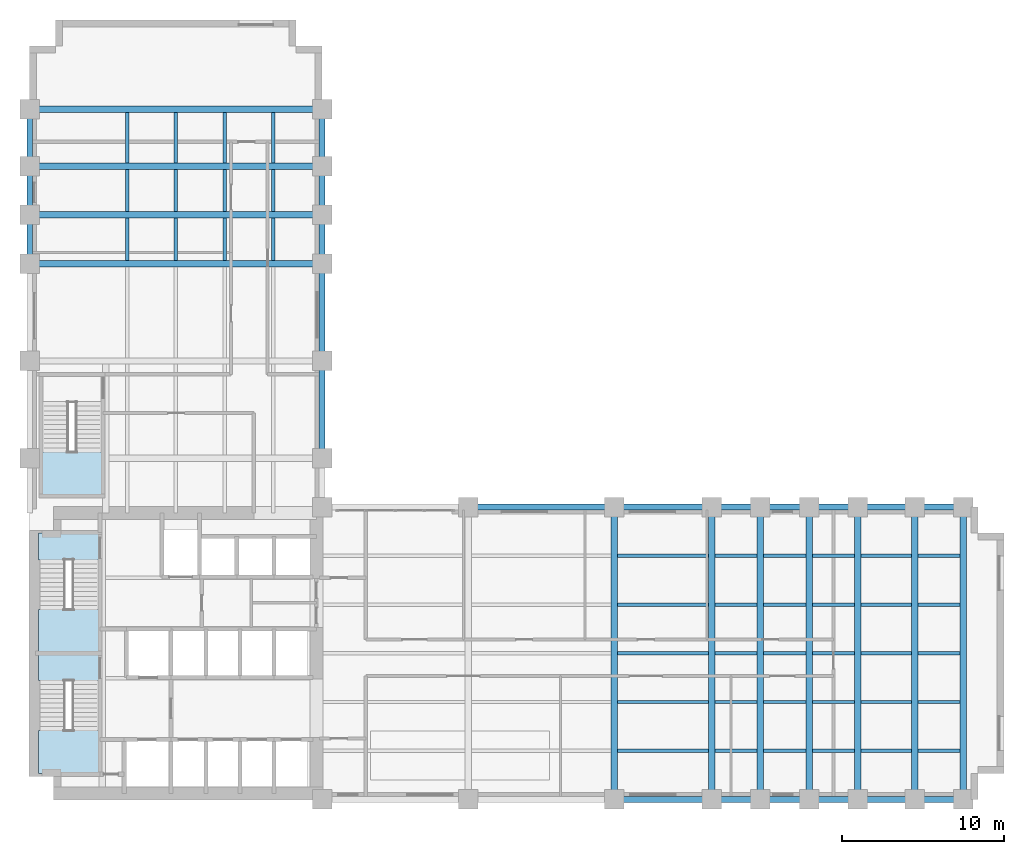
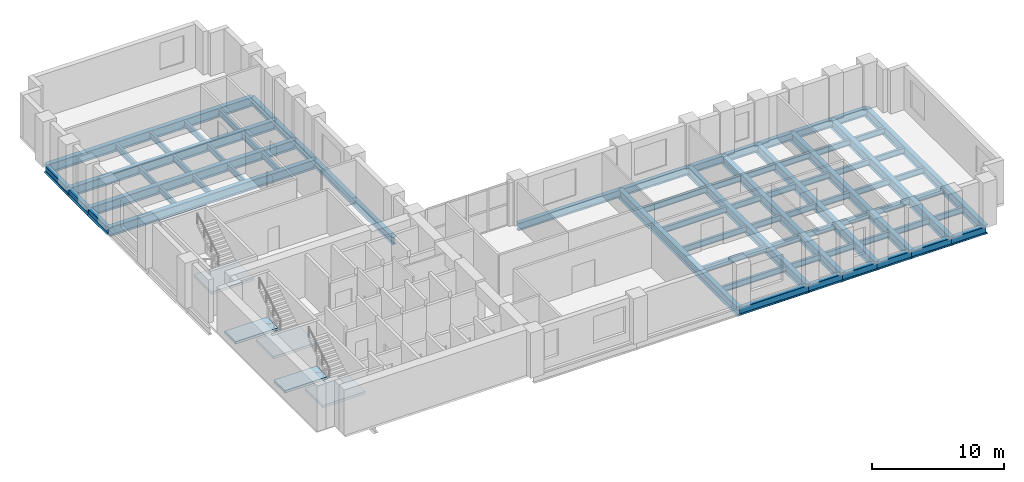
# One storey, part 3 of 9: 74 beams, 5 slabs, 3 elements without a shape of their own.
"""IFC4 building model written with IfcOpenShell, lengths in metres."""

from ifc_helpers import new_model, si_unit, direction, frame, origin, origin_2d, place, context, subcontext, project, spatial, polyline, i_section, outline, extrude, material, layer, layer_set, material_profile, profile_set, type_object, element, aggregate, save


model = new_model("IFC4")

# Units and contexts
model_context = context("Model", 3, precision=1e-05, world=origin(), true_north=direction((0.0, 1.0)))
body_context = subcontext(model_context, "Body", "Model", "MODEL_VIEW")
ifc_project = project(units=[si_unit("LENGTHUNIT", "METRE"), si_unit("AREAUNIT", "SQUARE_METRE"), si_unit("VOLUMEUNIT", "CUBIC_METRE"), si_unit("PLANEANGLEUNIT", "RADIAN"), si_unit("MASSUNIT", "GRAM", prefix="KILO")], contexts=[model_context])

# Site, building, storey
site_placement = place(None, origin())
site = spatial("IfcSite", under=ifc_project, at=site_placement, CompositionType="ELEMENT")
building_placement = place(site_placement, origin())
building = spatial("IfcBuilding", under=site, at=building_placement, Name="Mawjdan Bourse Tower", CompositionType="ELEMENT")
storey_placement = place(building_placement, frame((0.0, 0.0, 51.0)))
storey = spatial("IfcBuildingStorey", under=building, at=storey_placement, Name="L11", CompositionType="ELEMENT", Elevation=51.0)

# Beams
ifc_material_1 = material(Name="Structural Steel S355", Category="steel")
ifc_material_profile_1 = material_profile(ifc_material_1, i_section(OverallWidth=0.39892578125, OverallDepth=0.85595703125, WebThickness=0.018310546875, FlangeThickness=0.029296875, FilletRadius=0.0234375, at=origin_2d()), Name="W33X201")
ifc_profile_set_1 = profile_set([ifc_material_profile_1], Name="Structural Steel S355")
beam_type_1 = type_object("IfcBeamType", Name="GRD-W33X201", PredefinedType="BEAM", material=ifc_profile_set_1)
for number, where, z_axis, x_axis, name in (
    (1, (42.0, 3.0, -0.64794921875), (0.0, 1.0, 0.0), (-1.0, 0.0, 0.0), "L11 East Wing Clear-Span Girder 003"),
    (2, (48.0, 3.0, -0.64794921875), (0.0, 1.0, 0.0), (-1.0, 0.0, 0.0), "L11 East Wing Clear-Span Girder 004"),
    (3, (51.0, 3.0, -0.64794921875), (0.0, 1.0, 0.0), (-1.0, 0.0, 0.0), "L11 East Wing Clear-Span Girder 005"),
    (4, (54.0, 3.0, -0.64794921875), (0.0, 1.0, 0.0), (-1.0, 0.0, 0.0), "L11 East Wing Clear-Span Girder 006"),
    (5, (57.0, 3.0, -0.64794921875), (0.0, 1.0, 0.0), (-1.0, 0.0, 0.0), "L11 East Wing Clear-Span Girder 007"),
    (6, (60.5, 3.0, -0.64794921875), (0.0, 1.0, 0.0), (-1.0, 0.0, 0.0), "L11 East Wing Clear-Span Girder 008"),
    (7, (63.5, 3.0, -0.64794921875), (0.0, 1.0, 0.0), (-1.0, 0.0, 0.0), "L11 East Wing Clear-Span Girder 009"),
    (8, (6.0, 36.0, -0.64794921875), (1.0, 0.0, 0.0), (0.0, 1.0, 0.0), "L11 North Wing Clear-Span Girder 073"),
    (9, (6.0, 39.0, -0.64794921875), (1.0, 0.0, 0.0), (0.0, 1.0, 0.0), "L11 North Wing Clear-Span Girder 074"),
    (10, (6.0, 42.0, -0.64794921875), (1.0, 0.0, 0.0), (0.0, 1.0, 0.0), "L11 North Wing Clear-Span Girder 075"),
    (11, (6.0, 45.5, -0.64794921875), (1.0, 0.0, 0.0), (0.0, 1.0, 0.0), "L11 North Wing Clear-Span Girder 076"),
):
    element("IfcBeam", number, at=place(storey_placement, frame(where, z_axis=z_axis, x_axis=x_axis)), inside=storey, type_object=beam_type_1, Name=name, PredefinedType="BEAM", context=body_context, shape_type="SweptSolid", body=[
        extrude(i_section(OverallWidth=0.39892578125, OverallDepth=0.85595703125, WebThickness=0.018310546875, FlangeThickness=0.029296875, FilletRadius=0.0234375, at=origin_2d()), origin(), (0.0, 0.0, 1.0), 18.0),
    ])
ifc_material_profile_2 = material_profile(ifc_material_1, i_section(OverallWidth=0.2119140625, OverallDepth=0.5439453125, WebThickness=0.01318359375, FlangeThickness=0.021240234375, FilletRadius=0.01708984375, at=origin_2d()), Name="W21X83")
ifc_profile_set_2 = profile_set([ifc_material_profile_2], Name="Structural Steel S355")
beam_type_2 = type_object("IfcBeamType", Name="JST-W21X83", PredefinedType="JOIST", material=ifc_profile_set_2)
beam_1_placement = place(storey_placement, frame((42.197509765625, 6.0, -0.491943359375), z_axis=(1.0, 0.0, 0.0), x_axis=(0.0, 1.0, 0.0)))
element("IfcBeam", 12, at=beam_1_placement, inside=storey, type_object=beam_type_2, Name="L11 East Wing Composite Joist 028", PredefinedType="JOIST", context=body_context, shape_type="SweptSolid", body=[
    extrude(i_section(OverallWidth=0.2119140625, OverallDepth=0.5439453125, WebThickness=0.01318359375, FlangeThickness=0.021240234375, FilletRadius=0.01708984375, at=origin_2d()), origin(), (0.0, 0.0, 1.0), 5.60498046875),
])
for number, where, z_axis, x_axis, name in (
    (13, (48.197509765625, 6.0, -0.491943359375), (1.0, 0.0, 0.0), (0.0, 1.0, 0.0), "L11 East Wing Composite Joist 029"),
    (14, (51.197509765625, 6.0, -0.491943359375), (1.0, 0.0, 0.0), (0.0, 1.0, 0.0), "L11 East Wing Composite Joist 030"),
    (15, (54.197509765625, 6.0, -0.491943359375), (1.0, 0.0, 0.0), (0.0, 1.0, 0.0), "L11 East Wing Composite Joist 031"),
):
    element("IfcBeam", number, at=place(storey_placement, frame(where, z_axis=z_axis, x_axis=x_axis)), inside=storey, type_object=beam_type_2, Name=name, PredefinedType="JOIST", context=body_context, shape_type="SweptSolid", body=[
        extrude(i_section(OverallWidth=0.2119140625, OverallDepth=0.5439453125, WebThickness=0.01318359375, FlangeThickness=0.021240234375, FilletRadius=0.01708984375, at=origin_2d()), origin(), (0.0, 0.0, 1.0), 2.60498046875),
    ])
beam_2_placement = place(storey_placement, frame((57.197509765625, 6.0, -0.491943359375), z_axis=(1.0, 0.0, 0.0), x_axis=(0.0, 1.0, 0.0)))
element("IfcBeam", 16, at=beam_2_placement, inside=storey, type_object=beam_type_2, Name="L11 East Wing Composite Joist 032", PredefinedType="JOIST", context=body_context, shape_type="SweptSolid", body=[
    extrude(i_section(OverallWidth=0.2119140625, OverallDepth=0.5439453125, WebThickness=0.01318359375, FlangeThickness=0.021240234375, FilletRadius=0.01708984375, at=origin_2d()), origin(), (0.0, 0.0, 1.0), 3.10498046875),
])
beam_3_placement = place(storey_placement, frame((60.697509765625, 6.0, -0.491943359375), z_axis=(1.0, 0.0, 0.0), x_axis=(0.0, 1.0, 0.0)))
element("IfcBeam", 17, at=beam_3_placement, inside=storey, type_object=beam_type_2, Name="L11 East Wing Composite Joist 033", PredefinedType="JOIST", context=body_context, shape_type="SweptSolid", body=[
    extrude(i_section(OverallWidth=0.2119140625, OverallDepth=0.5439453125, WebThickness=0.01318359375, FlangeThickness=0.021240234375, FilletRadius=0.01708984375, at=origin_2d()), origin(), (0.0, 0.0, 1.0), 2.60498046875),
])
beam_4_placement = place(storey_placement, frame((42.197509765625, 9.0, -0.491943359375), z_axis=(1.0, 0.0, 0.0), x_axis=(0.0, 1.0, 0.0)))
element("IfcBeam", 18, at=beam_4_placement, inside=storey, type_object=beam_type_2, Name="L11 East Wing Composite Joist 036", PredefinedType="JOIST", context=body_context, shape_type="SweptSolid", body=[
    extrude(i_section(OverallWidth=0.2119140625, OverallDepth=0.5439453125, WebThickness=0.01318359375, FlangeThickness=0.021240234375, FilletRadius=0.01708984375, at=origin_2d()), origin(), (0.0, 0.0, 1.0), 5.60498046875),
])
for number, where, z_axis, x_axis, name in (
    (19, (48.197509765625, 9.0, -0.491943359375), (1.0, 0.0, 0.0), (0.0, 1.0, 0.0), "L11 East Wing Composite Joist 037"),
    (20, (51.197509765625, 9.0, -0.491943359375), (1.0, 0.0, 0.0), (0.0, 1.0, 0.0), "L11 East Wing Composite Joist 038"),
    (21, (54.197509765625, 9.0, -0.491943359375), (1.0, 0.0, 0.0), (0.0, 1.0, 0.0), "L11 East Wing Composite Joist 039"),
):
    element("IfcBeam", number, at=place(storey_placement, frame(where, z_axis=z_axis, x_axis=x_axis)), inside=storey, type_object=beam_type_2, Name=name, PredefinedType="JOIST", context=body_context, shape_type="SweptSolid", body=[
        extrude(i_section(OverallWidth=0.2119140625, OverallDepth=0.5439453125, WebThickness=0.01318359375, FlangeThickness=0.021240234375, FilletRadius=0.01708984375, at=origin_2d()), origin(), (0.0, 0.0, 1.0), 2.60498046875),
    ])
beam_5_placement = place(storey_placement, frame((57.197509765625, 9.0, -0.491943359375), z_axis=(1.0, 0.0, 0.0), x_axis=(0.0, 1.0, 0.0)))
element("IfcBeam", 22, at=beam_5_placement, inside=storey, type_object=beam_type_2, Name="L11 East Wing Composite Joist 040", PredefinedType="JOIST", context=body_context, shape_type="SweptSolid", body=[
    extrude(i_section(OverallWidth=0.2119140625, OverallDepth=0.5439453125, WebThickness=0.01318359375, FlangeThickness=0.021240234375, FilletRadius=0.01708984375, at=origin_2d()), origin(), (0.0, 0.0, 1.0), 3.10498046875),
])
beam_6_placement = place(storey_placement, frame((60.697509765625, 9.0, -0.491943359375), z_axis=(1.0, 0.0, 0.0), x_axis=(0.0, 1.0, 0.0)))
element("IfcBeam", 23, at=beam_6_placement, inside=storey, type_object=beam_type_2, Name="L11 East Wing Composite Joist 041", PredefinedType="JOIST", context=body_context, shape_type="SweptSolid", body=[
    extrude(i_section(OverallWidth=0.2119140625, OverallDepth=0.5439453125, WebThickness=0.01318359375, FlangeThickness=0.021240234375, FilletRadius=0.01708984375, at=origin_2d()), origin(), (0.0, 0.0, 1.0), 2.60498046875),
])
beam_7_placement = place(storey_placement, frame((42.197509765625, 12.0, -0.491943359375), z_axis=(1.0, 0.0, 0.0), x_axis=(0.0, 1.0, 0.0)))
element("IfcBeam", 24, at=beam_7_placement, inside=storey, type_object=beam_type_2, Name="L11 East Wing Composite Joist 044", PredefinedType="JOIST", context=body_context, shape_type="SweptSolid", body=[
    extrude(i_section(OverallWidth=0.2119140625, OverallDepth=0.5439453125, WebThickness=0.01318359375, FlangeThickness=0.021240234375, FilletRadius=0.01708984375, at=origin_2d()), origin(), (0.0, 0.0, 1.0), 5.60498046875),
])
for number, where, z_axis, x_axis, name in (
    (25, (48.197509765625, 12.0, -0.491943359375), (1.0, 0.0, 0.0), (0.0, 1.0, 0.0), "L11 East Wing Composite Joist 045"),
    (26, (51.197509765625, 12.0, -0.491943359375), (1.0, 0.0, 0.0), (0.0, 1.0, 0.0), "L11 East Wing Composite Joist 046"),
    (27, (54.197509765625, 12.0, -0.491943359375), (1.0, 0.0, 0.0), (0.0, 1.0, 0.0), "L11 East Wing Composite Joist 047"),
):
    element("IfcBeam", number, at=place(storey_placement, frame(where, z_axis=z_axis, x_axis=x_axis)), inside=storey, type_object=beam_type_2, Name=name, PredefinedType="JOIST", context=body_context, shape_type="SweptSolid", body=[
        extrude(i_section(OverallWidth=0.2119140625, OverallDepth=0.5439453125, WebThickness=0.01318359375, FlangeThickness=0.021240234375, FilletRadius=0.01708984375, at=origin_2d()), origin(), (0.0, 0.0, 1.0), 2.60498046875),
    ])
beam_8_placement = place(storey_placement, frame((57.197509765625, 12.0, -0.491943359375), z_axis=(1.0, 0.0, 0.0), x_axis=(0.0, 1.0, 0.0)))
element("IfcBeam", 28, at=beam_8_placement, inside=storey, type_object=beam_type_2, Name="L11 East Wing Composite Joist 048", PredefinedType="JOIST", context=body_context, shape_type="SweptSolid", body=[
    extrude(i_section(OverallWidth=0.2119140625, OverallDepth=0.5439453125, WebThickness=0.01318359375, FlangeThickness=0.021240234375, FilletRadius=0.01708984375, at=origin_2d()), origin(), (0.0, 0.0, 1.0), 3.10498046875),
])
beam_9_placement = place(storey_placement, frame((60.697509765625, 12.0, -0.491943359375), z_axis=(1.0, 0.0, 0.0), x_axis=(0.0, 1.0, 0.0)))
element("IfcBeam", 29, at=beam_9_placement, inside=storey, type_object=beam_type_2, Name="L11 East Wing Composite Joist 049", PredefinedType="JOIST", context=body_context, shape_type="SweptSolid", body=[
    extrude(i_section(OverallWidth=0.2119140625, OverallDepth=0.5439453125, WebThickness=0.01318359375, FlangeThickness=0.021240234375, FilletRadius=0.01708984375, at=origin_2d()), origin(), (0.0, 0.0, 1.0), 2.60498046875),
])
beam_10_placement = place(storey_placement, frame((42.197509765625, 15.0, -0.491943359375), z_axis=(1.0, 0.0, 0.0), x_axis=(0.0, 1.0, 0.0)))
element("IfcBeam", 30, at=beam_10_placement, inside=storey, type_object=beam_type_2, Name="L11 East Wing Composite Joist 052", PredefinedType="JOIST", context=body_context, shape_type="SweptSolid", body=[
    extrude(i_section(OverallWidth=0.2119140625, OverallDepth=0.5439453125, WebThickness=0.01318359375, FlangeThickness=0.021240234375, FilletRadius=0.01708984375, at=origin_2d()), origin(), (0.0, 0.0, 1.0), 5.60498046875),
])
for number, where, z_axis, x_axis, name in (
    (31, (48.197509765625, 15.0, -0.491943359375), (1.0, 0.0, 0.0), (0.0, 1.0, 0.0), "L11 East Wing Composite Joist 053"),
    (32, (51.197509765625, 15.0, -0.491943359375), (1.0, 0.0, 0.0), (0.0, 1.0, 0.0), "L11 East Wing Composite Joist 054"),
    (33, (54.197509765625, 15.0, -0.491943359375), (1.0, 0.0, 0.0), (0.0, 1.0, 0.0), "L11 East Wing Composite Joist 055"),
):
    element("IfcBeam", number, at=place(storey_placement, frame(where, z_axis=z_axis, x_axis=x_axis)), inside=storey, type_object=beam_type_2, Name=name, PredefinedType="JOIST", context=body_context, shape_type="SweptSolid", body=[
        extrude(i_section(OverallWidth=0.2119140625, OverallDepth=0.5439453125, WebThickness=0.01318359375, FlangeThickness=0.021240234375, FilletRadius=0.01708984375, at=origin_2d()), origin(), (0.0, 0.0, 1.0), 2.60498046875),
    ])
beam_11_placement = place(storey_placement, frame((57.197509765625, 15.0, -0.491943359375), z_axis=(1.0, 0.0, 0.0), x_axis=(0.0, 1.0, 0.0)))
element("IfcBeam", 34, at=beam_11_placement, inside=storey, type_object=beam_type_2, Name="L11 East Wing Composite Joist 056", PredefinedType="JOIST", context=body_context, shape_type="SweptSolid", body=[
    extrude(i_section(OverallWidth=0.2119140625, OverallDepth=0.5439453125, WebThickness=0.01318359375, FlangeThickness=0.021240234375, FilletRadius=0.01708984375, at=origin_2d()), origin(), (0.0, 0.0, 1.0), 3.10498046875),
])
beam_12_placement = place(storey_placement, frame((60.697509765625, 15.0, -0.491943359375), z_axis=(1.0, 0.0, 0.0), x_axis=(0.0, 1.0, 0.0)))
element("IfcBeam", 35, at=beam_12_placement, inside=storey, type_object=beam_type_2, Name="L11 East Wing Composite Joist 057", PredefinedType="JOIST", context=body_context, shape_type="SweptSolid", body=[
    extrude(i_section(OverallWidth=0.2119140625, OverallDepth=0.5439453125, WebThickness=0.01318359375, FlangeThickness=0.021240234375, FilletRadius=0.01708984375, at=origin_2d()), origin(), (0.0, 0.0, 1.0), 2.60498046875),
])
beam_13_placement = place(storey_placement, frame((42.197509765625, 18.0, -0.491943359375), z_axis=(1.0, 0.0, 0.0), x_axis=(0.0, 1.0, 0.0)))
element("IfcBeam", 36, at=beam_13_placement, inside=storey, type_object=beam_type_2, Name="L11 East Wing Composite Joist 060", PredefinedType="JOIST", context=body_context, shape_type="SweptSolid", body=[
    extrude(i_section(OverallWidth=0.2119140625, OverallDepth=0.5439453125, WebThickness=0.01318359375, FlangeThickness=0.021240234375, FilletRadius=0.01708984375, at=origin_2d()), origin(), (0.0, 0.0, 1.0), 5.60498046875),
])
for number, where, z_axis, x_axis, name in (
    (37, (48.197509765625, 18.0, -0.491943359375), (1.0, 0.0, 0.0), (0.0, 1.0, 0.0), "L11 East Wing Composite Joist 061"),
    (38, (51.197509765625, 18.0, -0.491943359375), (1.0, 0.0, 0.0), (0.0, 1.0, 0.0), "L11 East Wing Composite Joist 062"),
    (39, (54.197509765625, 18.0, -0.491943359375), (1.0, 0.0, 0.0), (0.0, 1.0, 0.0), "L11 East Wing Composite Joist 063"),
):
    element("IfcBeam", number, at=place(storey_placement, frame(where, z_axis=z_axis, x_axis=x_axis)), inside=storey, type_object=beam_type_2, Name=name, PredefinedType="JOIST", context=body_context, shape_type="SweptSolid", body=[
        extrude(i_section(OverallWidth=0.2119140625, OverallDepth=0.5439453125, WebThickness=0.01318359375, FlangeThickness=0.021240234375, FilletRadius=0.01708984375, at=origin_2d()), origin(), (0.0, 0.0, 1.0), 2.60498046875),
    ])
beam_14_placement = place(storey_placement, frame((57.197509765625, 18.0, -0.491943359375), z_axis=(1.0, 0.0, 0.0), x_axis=(0.0, 1.0, 0.0)))
element("IfcBeam", 40, at=beam_14_placement, inside=storey, type_object=beam_type_2, Name="L11 East Wing Composite Joist 064", PredefinedType="JOIST", context=body_context, shape_type="SweptSolid", body=[
    extrude(i_section(OverallWidth=0.2119140625, OverallDepth=0.5439453125, WebThickness=0.01318359375, FlangeThickness=0.021240234375, FilletRadius=0.01708984375, at=origin_2d()), origin(), (0.0, 0.0, 1.0), 3.10498046875),
])
for number, where, z_axis, x_axis, name in (
    (41, (60.697509765625, 18.0, -0.491943359375), (1.0, 0.0, 0.0), (0.0, 1.0, 0.0), "L11 East Wing Composite Joist 065"),
    (42, (12.0, 36.197509765625, -0.491943359375), (0.0, 1.0, 0.0), (-1.0, 0.0, 0.0), "L11 North Wing Composite Joist 092"),
    (43, (12.0, 39.197509765625, -0.491943359375), (0.0, 1.0, 0.0), (-1.0, 0.0, 0.0), "L11 North Wing Composite Joist 093"),
):
    element("IfcBeam", number, at=place(storey_placement, frame(where, z_axis=z_axis, x_axis=x_axis)), inside=storey, type_object=beam_type_2, Name=name, PredefinedType="JOIST", context=body_context, shape_type="SweptSolid", body=[
        extrude(i_section(OverallWidth=0.2119140625, OverallDepth=0.5439453125, WebThickness=0.01318359375, FlangeThickness=0.021240234375, FilletRadius=0.01708984375, at=origin_2d()), origin(), (0.0, 0.0, 1.0), 2.60498046875),
    ])
beam_15_placement = place(storey_placement, frame((12.0, 42.197509765625, -0.491943359375), z_axis=(0.0, 1.0, 0.0), x_axis=(-1.0, 0.0, 0.0)))
element("IfcBeam", 44, at=beam_15_placement, inside=storey, type_object=beam_type_2, Name="L11 North Wing Composite Joist 094", PredefinedType="JOIST", context=body_context, shape_type="SweptSolid", body=[
    extrude(i_section(OverallWidth=0.2119140625, OverallDepth=0.5439453125, WebThickness=0.01318359375, FlangeThickness=0.021240234375, FilletRadius=0.01708984375, at=origin_2d()), origin(), (0.0, 0.0, 1.0), 3.10498046875),
])
for number, where, z_axis, x_axis, name in (
    (45, (15.0, 36.197509765625, -0.491943359375), (0.0, 1.0, 0.0), (-1.0, 0.0, 0.0), "L11 North Wing Composite Joist 098"),
    (46, (15.0, 39.197509765625, -0.491943359375), (0.0, 1.0, 0.0), (-1.0, 0.0, 0.0), "L11 North Wing Composite Joist 099"),
):
    element("IfcBeam", number, at=place(storey_placement, frame(where, z_axis=z_axis, x_axis=x_axis)), inside=storey, type_object=beam_type_2, Name=name, PredefinedType="JOIST", context=body_context, shape_type="SweptSolid", body=[
        extrude(i_section(OverallWidth=0.2119140625, OverallDepth=0.5439453125, WebThickness=0.01318359375, FlangeThickness=0.021240234375, FilletRadius=0.01708984375, at=origin_2d()), origin(), (0.0, 0.0, 1.0), 2.60498046875),
    ])
beam_16_placement = place(storey_placement, frame((15.0, 42.197509765625, -0.491943359375), z_axis=(0.0, 1.0, 0.0), x_axis=(-1.0, 0.0, 0.0)))
element("IfcBeam", 47, at=beam_16_placement, inside=storey, type_object=beam_type_2, Name="L11 North Wing Composite Joist 100", PredefinedType="JOIST", context=body_context, shape_type="SweptSolid", body=[
    extrude(i_section(OverallWidth=0.2119140625, OverallDepth=0.5439453125, WebThickness=0.01318359375, FlangeThickness=0.021240234375, FilletRadius=0.01708984375, at=origin_2d()), origin(), (0.0, 0.0, 1.0), 3.10498046875),
])
for number, where, z_axis, x_axis, name in (
    (48, (18.0, 36.197509765625, -0.491943359375), (0.0, 1.0, 0.0), (-1.0, 0.0, 0.0), "L11 North Wing Composite Joist 104"),
    (49, (18.0, 39.197509765625, -0.491943359375), (0.0, 1.0, 0.0), (-1.0, 0.0, 0.0), "L11 North Wing Composite Joist 105"),
):
    element("IfcBeam", number, at=place(storey_placement, frame(where, z_axis=z_axis, x_axis=x_axis)), inside=storey, type_object=beam_type_2, Name=name, PredefinedType="JOIST", context=body_context, shape_type="SweptSolid", body=[
        extrude(i_section(OverallWidth=0.2119140625, OverallDepth=0.5439453125, WebThickness=0.01318359375, FlangeThickness=0.021240234375, FilletRadius=0.01708984375, at=origin_2d()), origin(), (0.0, 0.0, 1.0), 2.60498046875),
    ])
beam_17_placement = place(storey_placement, frame((18.0, 42.197509765625, -0.491943359375), z_axis=(0.0, 1.0, 0.0), x_axis=(-1.0, 0.0, 0.0)))
element("IfcBeam", 50, at=beam_17_placement, inside=storey, type_object=beam_type_2, Name="L11 North Wing Composite Joist 106", PredefinedType="JOIST", context=body_context, shape_type="SweptSolid", body=[
    extrude(i_section(OverallWidth=0.2119140625, OverallDepth=0.5439453125, WebThickness=0.01318359375, FlangeThickness=0.021240234375, FilletRadius=0.01708984375, at=origin_2d()), origin(), (0.0, 0.0, 1.0), 3.10498046875),
])
for number, where, z_axis, x_axis, name in (
    (51, (21.0, 36.197509765625, -0.491943359375), (0.0, 1.0, 0.0), (-1.0, 0.0, 0.0), "L11 North Wing Composite Joist 110"),
    (52, (21.0, 39.197509765625, -0.491943359375), (0.0, 1.0, 0.0), (-1.0, 0.0, 0.0), "L11 North Wing Composite Joist 111"),
):
    element("IfcBeam", number, at=place(storey_placement, frame(where, z_axis=z_axis, x_axis=x_axis)), inside=storey, type_object=beam_type_2, Name=name, PredefinedType="JOIST", context=body_context, shape_type="SweptSolid", body=[
        extrude(i_section(OverallWidth=0.2119140625, OverallDepth=0.5439453125, WebThickness=0.01318359375, FlangeThickness=0.021240234375, FilletRadius=0.01708984375, at=origin_2d()), origin(), (0.0, 0.0, 1.0), 2.60498046875),
    ])
beam_18_placement = place(storey_placement, frame((21.0, 42.197509765625, -0.491943359375), z_axis=(0.0, 1.0, 0.0), x_axis=(-1.0, 0.0, 0.0)))
element("IfcBeam", 53, at=beam_18_placement, inside=storey, type_object=beam_type_2, Name="L11 North Wing Composite Joist 112", PredefinedType="JOIST", context=body_context, shape_type="SweptSolid", body=[
    extrude(i_section(OverallWidth=0.2119140625, OverallDepth=0.5439453125, WebThickness=0.01318359375, FlangeThickness=0.021240234375, FilletRadius=0.01708984375, at=origin_2d()), origin(), (0.0, 0.0, 1.0), 3.10498046875),
])
ifc_material_profile_3 = material_profile(ifc_material_1, i_section(OverallWidth=0.35498046875, OverallDepth=0.696044921875, WebThickness=0.015380859375, FlangeThickness=0.02490234375, FilletRadius=0.019775390625, at=origin_2d()), Name="W27X146")
ifc_profile_set_3 = profile_set([ifc_material_profile_3], Name="Structural Steel S355")
beam_type_3 = type_object("IfcBeamType", Name="SPN-W27X146", PredefinedType="SPANDREL", material=ifc_profile_set_3)
beam_19_placement = place(storey_placement, frame((42.0, 3.0, -0.568115234375), z_axis=(1.0, 0.0, 0.0), x_axis=(0.0, 1.0, 0.0)))
element("IfcBeam", 54, at=beam_19_placement, inside=storey, type_object=beam_type_3, Name="L11 Perimeter Masonry-Shelf Spandrel 012", PredefinedType="SPANDREL", context=body_context, shape_type="SweptSolid", body=[
    extrude(i_section(OverallWidth=0.35498046875, OverallDepth=0.696044921875, WebThickness=0.015380859375, FlangeThickness=0.02490234375, FilletRadius=0.019775390625, at=origin_2d()), origin(), (0.0, 0.0, 1.0), 6.0),
])
for number, where, z_axis, x_axis, name in (
    (55, (48.0, 3.0, -0.568115234375), (1.0, 0.0, 0.0), (0.0, 1.0, 0.0), "L11 Perimeter Masonry-Shelf Spandrel 013"),
    (56, (51.0, 3.0, -0.568115234375), (1.0, 0.0, 0.0), (0.0, 1.0, 0.0), "L11 Perimeter Masonry-Shelf Spandrel 014"),
    (57, (54.0, 3.0, -0.568115234375), (1.0, 0.0, 0.0), (0.0, 1.0, 0.0), "L11 Perimeter Masonry-Shelf Spandrel 015"),
):
    element("IfcBeam", number, at=place(storey_placement, frame(where, z_axis=z_axis, x_axis=x_axis)), inside=storey, type_object=beam_type_3, Name=name, PredefinedType="SPANDREL", context=body_context, shape_type="SweptSolid", body=[
        extrude(i_section(OverallWidth=0.35498046875, OverallDepth=0.696044921875, WebThickness=0.015380859375, FlangeThickness=0.02490234375, FilletRadius=0.019775390625, at=origin_2d()), origin(), (0.0, 0.0, 1.0), 3.0),
    ])
beam_20_placement = place(storey_placement, frame((57.0, 3.0, -0.568115234375), z_axis=(1.0, 0.0, 0.0), x_axis=(0.0, 1.0, 0.0)))
element("IfcBeam", 58, at=beam_20_placement, inside=storey, type_object=beam_type_3, Name="L11 Perimeter Masonry-Shelf Spandrel 016", PredefinedType="SPANDREL", context=body_context, shape_type="SweptSolid", body=[
    extrude(i_section(OverallWidth=0.35498046875, OverallDepth=0.696044921875, WebThickness=0.015380859375, FlangeThickness=0.02490234375, FilletRadius=0.019775390625, at=origin_2d()), origin(), (0.0, 0.0, 1.0), 3.5),
])
beam_21_placement = place(storey_placement, frame((60.5, 3.0, -0.568115234375), z_axis=(1.0, 0.0, 0.0), x_axis=(0.0, 1.0, 0.0)))
element("IfcBeam", 59, at=beam_21_placement, inside=storey, type_object=beam_type_3, Name="L11 Perimeter Masonry-Shelf Spandrel 017", PredefinedType="SPANDREL", context=body_context, shape_type="SweptSolid", body=[
    extrude(i_section(OverallWidth=0.35498046875, OverallDepth=0.696044921875, WebThickness=0.015380859375, FlangeThickness=0.02490234375, FilletRadius=0.019775390625, at=origin_2d()), origin(), (0.0, 0.0, 1.0), 3.0),
])
beam_22_placement = place(storey_placement, frame((33.0, 21.0, -0.568115234375), z_axis=(1.0, 0.0, 0.0), x_axis=(0.0, 1.0, 0.0)))
element("IfcBeam", 60, at=beam_22_placement, inside=storey, type_object=beam_type_3, Name="L11 Perimeter Masonry-Shelf Spandrel 019", PredefinedType="SPANDREL", context=body_context, shape_type="SweptSolid", body=[
    extrude(i_section(OverallWidth=0.35498046875, OverallDepth=0.696044921875, WebThickness=0.015380859375, FlangeThickness=0.02490234375, FilletRadius=0.019775390625, at=origin_2d()), origin(), (0.0, 0.0, 1.0), 9.0),
])
beam_23_placement = place(storey_placement, frame((42.0, 21.0, -0.568115234375), z_axis=(1.0, 0.0, 0.0), x_axis=(0.0, 1.0, 0.0)))
element("IfcBeam", 61, at=beam_23_placement, inside=storey, type_object=beam_type_3, Name="L11 Perimeter Masonry-Shelf Spandrel 020", PredefinedType="SPANDREL", context=body_context, shape_type="SweptSolid", body=[
    extrude(i_section(OverallWidth=0.35498046875, OverallDepth=0.696044921875, WebThickness=0.015380859375, FlangeThickness=0.02490234375, FilletRadius=0.019775390625, at=origin_2d()), origin(), (0.0, 0.0, 1.0), 6.0),
])
for number, where, z_axis, x_axis, name in (
    (62, (48.0, 21.0, -0.568115234375), (1.0, 0.0, 0.0), (0.0, 1.0, 0.0), "L11 Perimeter Masonry-Shelf Spandrel 021"),
    (63, (51.0, 21.0, -0.568115234375), (1.0, 0.0, 0.0), (0.0, 1.0, 0.0), "L11 Perimeter Masonry-Shelf Spandrel 022"),
    (64, (54.0, 21.0, -0.568115234375), (1.0, 0.0, 0.0), (0.0, 1.0, 0.0), "L11 Perimeter Masonry-Shelf Spandrel 023"),
):
    element("IfcBeam", number, at=place(storey_placement, frame(where, z_axis=z_axis, x_axis=x_axis)), inside=storey, type_object=beam_type_3, Name=name, PredefinedType="SPANDREL", context=body_context, shape_type="SweptSolid", body=[
        extrude(i_section(OverallWidth=0.35498046875, OverallDepth=0.696044921875, WebThickness=0.015380859375, FlangeThickness=0.02490234375, FilletRadius=0.019775390625, at=origin_2d()), origin(), (0.0, 0.0, 1.0), 3.0),
    ])
beam_24_placement = place(storey_placement, frame((57.0, 21.0, -0.568115234375), z_axis=(1.0, 0.0, 0.0), x_axis=(0.0, 1.0, 0.0)))
element("IfcBeam", 65, at=beam_24_placement, inside=storey, type_object=beam_type_3, Name="L11 Perimeter Masonry-Shelf Spandrel 024", PredefinedType="SPANDREL", context=body_context, shape_type="SweptSolid", body=[
    extrude(i_section(OverallWidth=0.35498046875, OverallDepth=0.696044921875, WebThickness=0.015380859375, FlangeThickness=0.02490234375, FilletRadius=0.019775390625, at=origin_2d()), origin(), (0.0, 0.0, 1.0), 3.5),
])
for number, where, z_axis, x_axis, name in (
    (66, (60.5, 21.0, -0.568115234375), (1.0, 0.0, 0.0), (0.0, 1.0, 0.0), "L11 Perimeter Masonry-Shelf Spandrel 025"),
    (67, (6.0, 36.0, -0.568115234375), (0.0, 1.0, 0.0), (-1.0, 0.0, 0.0), "L11 North Wing Spandrel 080"),
    (68, (6.0, 39.0, -0.568115234375), (0.0, 1.0, 0.0), (-1.0, 0.0, 0.0), "L11 North Wing Spandrel 081"),
):
    element("IfcBeam", number, at=place(storey_placement, frame(where, z_axis=z_axis, x_axis=x_axis)), inside=storey, type_object=beam_type_3, Name=name, PredefinedType="SPANDREL", context=body_context, shape_type="SweptSolid", body=[
        extrude(i_section(OverallWidth=0.35498046875, OverallDepth=0.696044921875, WebThickness=0.015380859375, FlangeThickness=0.02490234375, FilletRadius=0.019775390625, at=origin_2d()), origin(), (0.0, 0.0, 1.0), 3.0),
    ])
beam_25_placement = place(storey_placement, frame((6.0, 42.0, -0.568115234375), z_axis=(0.0, 1.0, 0.0), x_axis=(-1.0, 0.0, 0.0)))
element("IfcBeam", 69, at=beam_25_placement, inside=storey, type_object=beam_type_3, Name="L11 North Wing Spandrel 082", PredefinedType="SPANDREL", context=body_context, shape_type="SweptSolid", body=[
    extrude(i_section(OverallWidth=0.35498046875, OverallDepth=0.696044921875, WebThickness=0.015380859375, FlangeThickness=0.02490234375, FilletRadius=0.019775390625, at=origin_2d()), origin(), (0.0, 0.0, 1.0), 3.5),
])
for number, where, z_axis, x_axis, name in (
    (70, (24.0, 24.0, -0.568115234375), (0.0, 1.0, 0.0), (-1.0, 0.0, 0.0), "L11 North Wing Spandrel 084"),
    (71, (24.0, 30.0, -0.568115234375), (0.0, 1.0, 0.0), (-1.0, 0.0, 0.0), "L11 North Wing Spandrel 085"),
):
    element("IfcBeam", number, at=place(storey_placement, frame(where, z_axis=z_axis, x_axis=x_axis)), inside=storey, type_object=beam_type_3, Name=name, PredefinedType="SPANDREL", context=body_context, shape_type="SweptSolid", body=[
        extrude(i_section(OverallWidth=0.35498046875, OverallDepth=0.696044921875, WebThickness=0.015380859375, FlangeThickness=0.02490234375, FilletRadius=0.019775390625, at=origin_2d()), origin(), (0.0, 0.0, 1.0), 6.0),
    ])
for number, where, z_axis, x_axis, name in (
    (72, (24.0, 36.0, -0.568115234375), (0.0, 1.0, 0.0), (-1.0, 0.0, 0.0), "L11 North Wing Spandrel 086"),
    (73, (24.0, 39.0, -0.568115234375), (0.0, 1.0, 0.0), (-1.0, 0.0, 0.0), "L11 North Wing Spandrel 087"),
):
    element("IfcBeam", number, at=place(storey_placement, frame(where, z_axis=z_axis, x_axis=x_axis)), inside=storey, type_object=beam_type_3, Name=name, PredefinedType="SPANDREL", context=body_context, shape_type="SweptSolid", body=[
        extrude(i_section(OverallWidth=0.35498046875, OverallDepth=0.696044921875, WebThickness=0.015380859375, FlangeThickness=0.02490234375, FilletRadius=0.019775390625, at=origin_2d()), origin(), (0.0, 0.0, 1.0), 3.0),
    ])
beam_26_placement = place(storey_placement, frame((24.0, 42.0, -0.568115234375), z_axis=(0.0, 1.0, 0.0), x_axis=(-1.0, 0.0, 0.0)))
element("IfcBeam", 74, at=beam_26_placement, inside=storey, type_object=beam_type_3, Name="L11 North Wing Spandrel 088", PredefinedType="SPANDREL", context=body_context, shape_type="SweptSolid", body=[
    extrude(i_section(OverallWidth=0.35498046875, OverallDepth=0.696044921875, WebThickness=0.015380859375, FlangeThickness=0.02490234375, FilletRadius=0.019775390625, at=origin_2d()), origin(), (0.0, 0.0, 1.0), 3.5),
])

# Stair, slabs
ifc_material_2 = material(Name="Concrete C50/60", Category="concrete")
stair_type = type_object("IfcStairType", Name="STR-CORE-1500", PredefinedType="HALF_TURN_STAIR", material=ifc_material_2)
stair_1_placement = place(storey_placement, origin())
stair_1 = element("IfcStair", 75, at=stair_1_placement, inside=storey, type_object=stair_type, Name="L11 Exit Stair 1 (Core South-West)", PredefinedType="HALF_TURN_STAIR")
ifc_layer = layer(ifc_material_2, 0.22998046875)
ifc_layer_set = layer_set([ifc_layer], Name="Concrete C50/60")
slab_type = type_object("IfcSlabType", Name="SL-LND-230", PredefinedType="LANDING", material=ifc_layer_set)
slab_1_placement = place(storey_placement, frame((0.0, 0.0, -0.22998046875)))
slab_1 = element("IfcSlab", 76, at=slab_1_placement, type_object=slab_type, Name="ST1-L11 landing 1", PredefinedType="LANDING", context=body_context, shape_type="SweptSolid", body=[
    extrude(outline(polyline([(6.5400390625, 10.31005859375), (10.260009765625, 10.31005859375), (10.260009765625, 11.969970703125), (6.5400390625, 11.969970703125), (6.5400390625, 10.31005859375)])), origin(), (0.0, 0.0, 1.0), 0.22998046875),
])
slab_2_placement = place(storey_placement, frame((0.0, 0.0, 1.8701171875)))
slab_2 = element("IfcSlab", 77, at=slab_2_placement, type_object=slab_type, Name="ST1-L11 landing 2", PredefinedType="LANDING", context=body_context, shape_type="SweptSolid", body=[
    extrude(outline(polyline([(6.5400390625, 4.590087890625), (10.260009765625, 4.590087890625), (10.260009765625, 7.2548828125), (6.5400390625, 7.2548828125), (6.5400390625, 4.590087890625)])), origin(), (0.0, 0.0, 1.0), 0.22998046875),
])
aggregate(stair_1, [slab_1, slab_2])

stair_2_placement = place(storey_placement, origin())
stair_2 = element("IfcStair", 78, at=stair_2_placement, inside=storey, type_object=stair_type, Name="L11 Exit Stair 2 (Core North-West)", PredefinedType="HALF_TURN_STAIR")
slab_3_placement = place(storey_placement, frame((0.0, 0.0, -0.22998046875)))
slab_3 = element("IfcSlab", 79, at=slab_3_placement, type_object=slab_type, Name="ST2-L11 landing 1", PredefinedType="LANDING", context=body_context, shape_type="SweptSolid", body=[
    extrude(outline(polyline([(6.5400390625, 17.75), (10.260009765625, 17.75), (10.260009765625, 19.409912109375), (6.5400390625, 19.409912109375), (6.5400390625, 17.75)])), origin(), (0.0, 0.0, 1.0), 0.22998046875),
])
slab_4_placement = place(storey_placement, frame((0.0, 0.0, 1.8701171875)))
slab_4 = element("IfcSlab", 80, at=slab_4_placement, type_object=slab_type, Name="ST2-L11 landing 2", PredefinedType="LANDING", context=body_context, shape_type="SweptSolid", body=[
    extrude(outline(polyline([(6.5400390625, 12.030029296875), (10.260009765625, 12.030029296875), (10.260009765625, 14.695068359375), (6.5400390625, 14.695068359375), (6.5400390625, 12.030029296875)])), origin(), (0.0, 0.0, 1.0), 0.22998046875),
])
aggregate(stair_2, [slab_3, slab_4])

# Stair, slab
stair_3_placement = place(storey_placement, origin())
stair_3 = element("IfcStair", 81, at=stair_3_placement, inside=storey, type_object=stair_type, Name="L11 Exit Stair 3 (North Wing)", PredefinedType="HALF_TURN_STAIR")
slab_5_placement = place(storey_placement, frame((0.0, 0.0, 1.8701171875)))
slab_5 = element("IfcSlab", 82, at=slab_5_placement, type_object=slab_type, Name="ST3-L11 landing 2", PredefinedType="LANDING", context=body_context, shape_type="SweptSolid", body=[
    extrude(outline(polyline([(6.739990234375, 21.739990234375), (10.4599609375, 21.739990234375), (10.4599609375, 24.405029296875), (6.739990234375, 24.405029296875), (6.739990234375, 21.739990234375)])), origin(), (0.0, 0.0, 1.0), 0.22998046875),
])
aggregate(stair_3, [slab_5])

save(model, "model.ifc")
